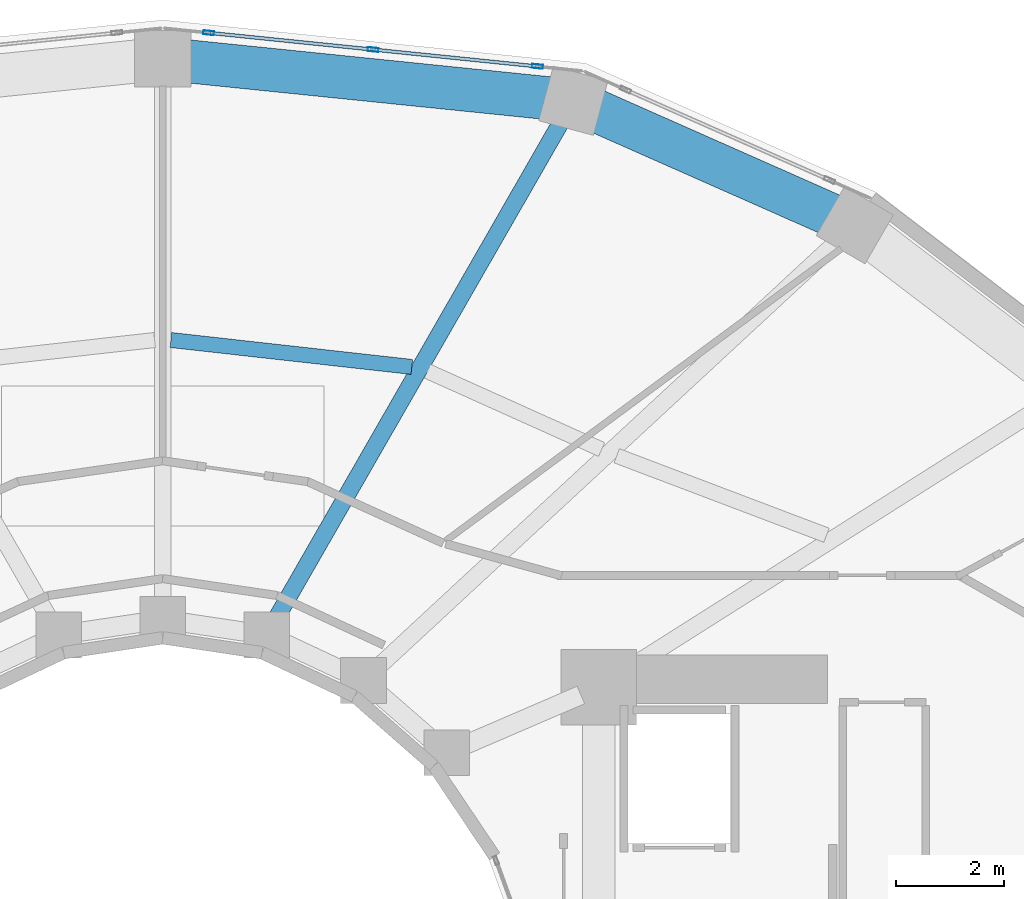
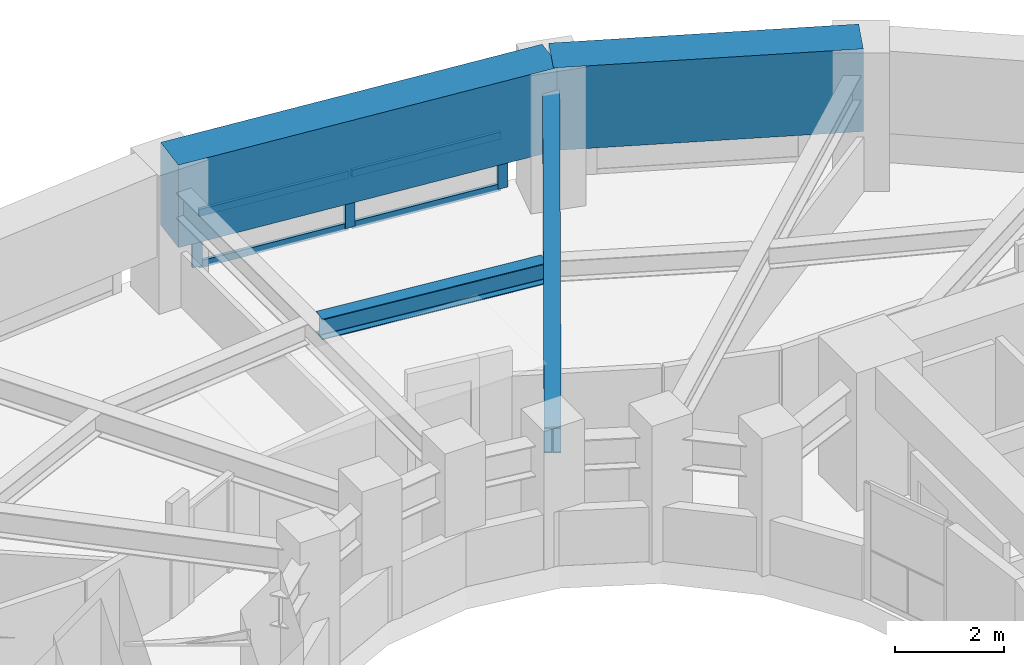
# One storey, part 9 of 19: 7 members, 4 beams, 1 element without a shape of its own.
"""IFC4 building model written with IfcOpenShell, lengths in metres."""

import ifcopenshell
import ifcopenshell.guid

model = None  # the IFC model being written
_history = None  # IfcOwnerHistory: only IFC2X3 demands one
_inside = {}  # id of a spatial element -> (the spatial element, [elements in it])
_under = {}  # id of a project, library or spatial element -> (it, [spatial elements below it])
_declared = {}  # id of a project -> (the project, [libraries it declares])
_typed = {}  # id of a type object -> (the type object, [elements of that type])
_made_of = {}  # id of a material, layer set ... -> (it, [elements and type objects made of it])


def new_model(schema):
    """Start an empty IFC model of exactly this schema.

    Asked for "IFC4X3", IfcOpenShell would pick the latest addendum, in which some entities
    have other attributes; the version numbers below select the first issue.
    IFC2X3 requires an IfcOwnerHistory on every rooted entity: one is made here for all.
    """
    global model, _history
    if schema == "IFC4X3":
        model = ifcopenshell.file(schema_version=(4, 3, 0, 0))
    else:
        model = ifcopenshell.file(schema=schema)
    _inside.clear()
    _under.clear()
    _declared.clear()
    _typed.clear()
    _made_of.clear()
    _history = None
    if model.schema == "IFC2X3":
        org = make("IfcOrganization", Name="unknown")
        user = make(
            "IfcPersonAndOrganization",
            ThePerson=make("IfcPerson", FamilyName="unknown"),
            TheOrganization=org,
        )
        app = make(
            "IfcApplication",
            ApplicationDeveloper=org,
            Version="unknown",
            ApplicationFullName="unknown",
            ApplicationIdentifier="unknown",
        )
        _history = make(
            "IfcOwnerHistory",
            OwningUser=user,
            OwningApplication=app,
            ChangeAction="ADDED",
            CreationDate=0,
        )
    return model


def make(cls, **values):
    """One entity of the class cls with the attributes given. An attribute that is None is left unset."""
    return model.create_entity(
        cls, **{name: value for name, value in values.items() if value is not None}
    )


def rooted(cls, **values):
    """An entity with a GlobalId (a new one), such as an element, a storey or a relation."""
    return make(cls, GlobalId=ifcopenshell.guid.new(), OwnerHistory=_history, **values)


def si_unit(unit_type, name, prefix=None):
    """IfcSIUnit, for example si_unit("LENGTHUNIT", "METRE", prefix="MILLI")."""
    return make("IfcSIUnit", UnitType=unit_type, Prefix=prefix, Name=name)


def assignment(units):
    """IfcUnitAssignment: the units of a project."""
    return None if units is None else make("IfcUnitAssignment", Units=units)


def point(xyz):
    """IfcCartesianPoint."""
    return None if xyz is None else make("IfcCartesianPoint", Coordinates=xyz)


def direction(xyz):
    """IfcDirection."""
    return None if xyz is None else make("IfcDirection", DirectionRatios=xyz)


def frame(location, z_axis=None, x_axis=None):
    """IfcAxis2Placement3D, a coordinate frame: its origin and axes. An axis left out is left unset."""
    return make(
        "IfcAxis2Placement3D",
        Location=point(location),
        Axis=direction(z_axis),
        RefDirection=direction(x_axis),
    )


def frame_2d(location, x_axis=None):
    """IfcAxis2Placement2D, a coordinate frame in the plane: its origin and x axis."""
    return make(
        "IfcAxis2Placement2D", Location=point(location), RefDirection=direction(x_axis)
    )


def origin():
    """The frame at (0, 0, 0) with its axes left unset."""
    return frame((0.0, 0.0, 0.0))


def origin_2d():
    """The frame at (0, 0) in the plane with its x axis left unset."""
    return frame_2d((0.0, 0.0))


def place(relative_to, where):
    """IfcLocalPlacement: puts the frame where relative to a parent placement (None: the world)."""
    return make(
        "IfcLocalPlacement", PlacementRelTo=relative_to, RelativePlacement=where
    )


def context(
    kind, dimensions, precision=None, world=None, true_north=None, identifier=None
):
    """IfcGeometricRepresentationContext, for example the 3D "Model" context."""
    return make(
        "IfcGeometricRepresentationContext",
        ContextIdentifier=identifier,
        ContextType=kind,
        CoordinateSpaceDimension=dimensions,
        Precision=precision,
        WorldCoordinateSystem=world,
        TrueNorth=true_north,
    )


def subcontext(parent, identifier, kind, view, scale=None):
    """IfcGeometricRepresentationSubContext, for example "Body" below "Model"."""
    return make(
        "IfcGeometricRepresentationSubContext",
        ContextIdentifier=identifier,
        ContextType=kind,
        ParentContext=parent,
        TargetScale=scale,
        TargetView=view,
    )


def project(units=None, contexts=None):
    """IfcProject with its units and contexts."""
    return rooted(
        "IfcProject",
        Name="project",
        RepresentationContexts=contexts,
        UnitsInContext=assignment(units),
    )


def spatial(cls, under=None, at=None, **own):
    """A site, building, storey or space (cls), placed at a placement, below another one or the project."""
    s = rooted(cls, ObjectPlacement=at, **own)
    if under is not None:
        _under.setdefault(under.id(), (under, []))[1].append(s)
    return s


def profile(cls, at=None, kind="AREA", **sizes):
    """A parametric profile (cls). Its sizes go by their IFC names, for example OverallWidth=200.0."""
    return make(cls, ProfileType=kind, Position=at, **sizes)


def rectangle(**sizes):
    """IfcRectangleProfileDef."""
    return profile("IfcRectangleProfileDef", **sizes)


def hollow_rectangle(**sizes):
    """IfcRectangleHollowProfileDef."""
    return profile("IfcRectangleHollowProfileDef", **sizes)


def i_section(**sizes):
    """IfcIShapeProfileDef."""
    return profile("IfcIShapeProfileDef", **sizes)


def extrude(swept, where, along, depth):
    """IfcExtrudedAreaSolid: the profile swept, set in the frame where, extruded along a direction by depth."""
    return make(
        "IfcExtrudedAreaSolid",
        SweptArea=swept,
        Position=where,
        ExtrudedDirection=direction(along),
        Depth=depth,
    )


def shape(context_of_items, identifier, shape_type, items):
    """IfcShapeRepresentation: the items that make up one representation, for example the "Body"."""
    return make(
        "IfcShapeRepresentation",
        ContextOfItems=context_of_items,
        RepresentationIdentifier=identifier,
        RepresentationType=shape_type,
        Items=items,
    )


def material(Name=None, Category=None):
    """IfcMaterial."""
    return make("IfcMaterial", Name=Name, Category=Category)


def layer(
    of_material, thickness, ventilated=None, Name=None, Category=None, Priority=None
):
    """IfcMaterialLayer: one layer of a wall or slab, of a material (None: an air gap)."""
    return make(
        "IfcMaterialLayer",
        Material=of_material,
        LayerThickness=thickness,
        IsVentilated=ventilated,
        Name=Name,
        Category=Category,
        Priority=Priority,
    )


def layer_set(layers, Name=None):
    """IfcMaterialLayerSet."""
    return make("IfcMaterialLayerSet", MaterialLayers=layers, LayerSetName=Name)


def material_profile(
    of_material, cross_section, Name=None, Category=None, Priority=None
):
    """IfcMaterialProfile: a cross section and its material."""
    return make(
        "IfcMaterialProfile",
        Name=Name,
        Material=of_material,
        Profile=cross_section,
        Priority=Priority,
        Category=Category,
    )


def profile_set(profiles, Name=None, composite=None):
    """IfcMaterialProfileSet."""
    return make(
        "IfcMaterialProfileSet",
        Name=Name,
        MaterialProfiles=profiles,
        CompositeProfile=composite,
    )


def made_of(thing, what):
    """Note that an element or type object is made of a material, layer set ...; save() writes the relation."""
    if what is not None:
        _made_of.setdefault(what.id(), (what, []))[1].append(thing)
    return thing


def type_object(cls, material=None, **own):
    """A type object (cls), such as IfcWallType, which elements share."""
    return made_of(rooted(cls, **own), material)


def element(
    cls,
    number,
    at=None,
    inside=None,
    cuts=None,
    type_object=None,
    material=None,
    context=None,
    identifier="Body",
    shape_type=None,
    held_by="IfcProductDefinitionShape",
    body=None,
    shapes=None,
    **own,
):
    """One element of the class cls, such as IfcWall. Its Tag is "e" and its number.

    at: its placement. inside: the storey or other place that contains it. cuts: it is an
    opening in that element (IfcRelVoidsElement). A single representation is given by context,
    identifier, shape_type and body (its items); several are given by shapes. held_by: the class
    of the entity that holds the representations. save() writes the other relations.
    """
    e = rooted(cls, Tag="e%d" % number, ObjectPlacement=at, **own)
    if body is not None:
        shapes = [shape(context, identifier, shape_type, body)]
    if shapes is not None:
        e.Representation = make(held_by, Representations=shapes)
    if inside is not None:
        _inside.setdefault(inside.id(), (inside, []))[1].append(e)
    if cuts is not None:
        rooted(
            "IfcRelVoidsElement", RelatingBuildingElement=cuts, RelatedOpeningElement=e
        )
    if type_object is not None:
        _typed.setdefault(type_object.id(), (type_object, []))[1].append(e)
    return made_of(e, material)


def aggregate(whole, parts):
    """IfcRelAggregates: a whole, such as a stair, and the parts it consists of."""
    return rooted("IfcRelAggregates", RelatingObject=whole, RelatedObjects=parts)


def save(model, path):
    """Write the relations noted so far, then the file.

    IfcRelAggregates (storeys below a building ...), IfcRelContainedInSpatialStructure (elements
    in a storey), IfcRelDefinesByType, IfcRelAssociatesMaterial and IfcRelDeclares: one each for
    every whole, place, type object, material and project.
    """
    for whole, parts in _under.values():
        aggregate(whole, parts)
    for where, things in _inside.values():
        rooted(
            "IfcRelContainedInSpatialStructure",
            RelatedElements=things,
            RelatingStructure=where,
        )
    for kind, things in _typed.values():
        rooted("IfcRelDefinesByType", RelatedObjects=things, RelatingType=kind)
    for what, things in _made_of.values():
        rooted("IfcRelAssociatesMaterial", RelatedObjects=things, RelatingMaterial=what)
    for by, libraries in _declared.values():
        rooted("IfcRelDeclares", RelatingContext=by, RelatedDefinitions=libraries)
    model.write(path)


model = new_model("IFC4")

# Units and contexts
model_context = context("Model", 3, precision=1e-05, world=origin(), true_north=direction((0.0, 1.0)))
body_context = subcontext(model_context, "Body", "Model", "MODEL_VIEW")
ifc_project = project(units=[si_unit("LENGTHUNIT", "METRE"), si_unit("AREAUNIT", "SQUARE_METRE"), si_unit("VOLUMEUNIT", "CUBIC_METRE"), si_unit("PLANEANGLEUNIT", "RADIAN"), si_unit("MASSUNIT", "GRAM", prefix="KILO")], contexts=[model_context])

# Site, building, storey
site_placement = place(None, origin())
site = spatial("IfcSite", under=ifc_project, at=site_placement, CompositionType="ELEMENT")
building_placement = place(site_placement, origin())
building = spatial("IfcBuilding", under=site, at=building_placement, Name="Solvane Sanctuary Tower", CompositionType="ELEMENT")
storey_placement = place(building_placement, frame((0.0, 0.0, 73.199951171875)))
storey = spatial("IfcBuildingStorey", under=building, at=storey_placement, Name="L21", CompositionType="ELEMENT", Elevation=73.199951171875)

# Beams
ifc_material_1 = material(Name="Steel ASTM A992 Grade 50", Category="steel")
ifc_material_profile_1 = material_profile(ifc_material_1, i_section(OverallWidth=0.31494140625, OverallDepth=0.575927734375, WebThickness=0.01513671875, FlangeThickness=0.0244140625, FilletRadius=0.014892578125, at=origin_2d()), Name="W21X122")
ifc_profile_set_1 = profile_set([ifc_material_profile_1], Name="Steel ASTM A992 Grade 50")
beam_type_1 = type_object("IfcBeamType", Name="Beam B-RAD-Z2 W21X122", PredefinedType="BEAM", material=ifc_profile_set_1)
beam_1_placement = place(storey_placement, frame((34.0703125, 31.41455078125, 2.31005859375), z_axis=(0.497792245326, 0.8672963049, 0.0), x_axis=(-0.8672963049, 0.497792245326, 0.0)))
element("IfcBeam", 1, at=beam_1_placement, inside=storey, type_object=beam_type_1, Name="L21 Radial Composite Floor Beam 03", PredefinedType="BEAM", context=body_context, shape_type="SweptSolid", body=[
    extrude(i_section(OverallWidth=0.31494140625, OverallDepth=0.575927734375, WebThickness=0.01513671875, FlangeThickness=0.0244140625, FilletRadius=0.014892578125, at=origin_2d()), origin(), (0.0, 0.0, 1.0), 10.887451171875),
])
ifc_material_profile_2 = material_profile(ifc_material_1, i_section(OverallWidth=0.280029296875, OverallDepth=0.462890625, WebThickness=0.0107421875, FlangeThickness=0.017333984375, FilletRadius=0.013916015625, at=origin_2d()), Name="W18X76")
ifc_profile_set_2 = profile_set([ifc_material_profile_2], Name="Steel ASTM A992 Grade 50")
beam_type_2 = type_object("IfcBeamType", Name="Beam B-SEC-JOIST W18X76", PredefinedType="JOIST", material=ifc_profile_set_2)
beam_2_placement = place(storey_placement, frame((32.151611328125, 36.653076171875, 2.366455078125), z_axis=(0.993814804173, -0.111050146357, 0.0), x_axis=(0.111050146357, 0.993814804173, 0.0)))
element("IfcBeam", 2, at=beam_2_placement, inside=storey, type_object=beam_type_2, Name="L21 Secondary Circumferential Joist 04-03", PredefinedType="JOIST", context=body_context, shape_type="SweptSolid", body=[
    extrude(i_section(OverallWidth=0.280029296875, OverallDepth=0.462890625, WebThickness=0.0107421875, FlangeThickness=0.017333984375, FilletRadius=0.013916015625, at=origin_2d()), origin(), (0.0, 0.0, 1.0), 4.504638671875),
])
ifc_material_2 = material(Name="Concrete C70/85", Category="concrete")
ifc_material_profile_3 = material_profile(ifc_material_2, rectangle(XDim=0.800048828125, YDim=1.85009765625, at=origin_2d()), Name="RC800X1850")
ifc_profile_set_3 = profile_set([ifc_material_profile_3], Name="Concrete C70/85")
beam_type_3 = type_object("IfcBeamType", Name="Beam B-XFER-BLK RC800X1850", PredefinedType="BEAM", material=ifc_profile_set_3)
beam_3_placement = place(storey_placement, frame((32.0, 41.8798828125, 2.175048828125), z_axis=(0.994817332657, -0.101678289936, 0.0), x_axis=(0.101678289936, 0.994817332657, 0.0)))
element("IfcBeam", 3, at=beam_3_placement, inside=storey, type_object=beam_type_3, Name="L21 Perimeter Step Transfer Ring NTC04-NTC03", PredefinedType="BEAM", context=body_context, shape_type="SweptSolid", body=[
    extrude(rectangle(XDim=0.800048828125, YDim=1.85009765625, at=origin_2d()), origin(), (0.0, 0.0, 1.0), 7.669189453125),
])
beam_4_placement = place(storey_placement, frame((39.62939453125, 41.10009765625, 2.175048828125), z_axis=(0.914461816427, -0.404672196101, 0.0), x_axis=(0.404672196101, 0.914461816427, 0.0)))
element("IfcBeam", 4, at=beam_4_placement, inside=storey, type_object=beam_type_3, Name="L21 Perimeter Step Transfer Ring NTC03-NTC02", PredefinedType="BEAM", context=body_context, shape_type="SweptSolid", body=[
    extrude(rectangle(XDim=0.800048828125, YDim=1.85009765625, at=origin_2d()), origin(), (0.0, 0.0, 1.0), 5.718017578125),
])

# Curtain wall, members
ifc_material_3 = material(Name="Anodised Aluminium 6063-T6", Category="aluminium")
ifc_layer = layer(ifc_material_3, 0.18994140625, Name="Anodised Aluminium 6063-T6")
ifc_layer_set = layer_set([ifc_layer], Name="Anodised Aluminium 6063-T6")
curtain_wall_type = type_object("IfcCurtainWallType", Name="Curtain Wall CW-OPER", PredefinedType="NOTDEFINED", material=ifc_layer_set)
curtain_wall_placement = place(storey_placement, origin())
curtain_wall = element("IfcCurtainWall", 5, at=curtain_wall_placement, inside=storey, type_object=curtain_wall_type, Name="L21 CW-OPER Facade Run 05", PredefinedType="NOTDEFINED")
ifc_material_profile_4 = material_profile(ifc_material_3, hollow_rectangle(XDim=0.074951171875, YDim=0.199951171875, WallThickness=0.00390625, at=origin_2d()), Name="ALU200X75X4")
ifc_profile_set_4 = profile_set([ifc_material_profile_4], Name="Anodised Aluminium 6063-T6")
member_type_1 = type_object("IfcMemberType", Name="Member M-CW-MUL-1 ALU200X75X4", PredefinedType="MULLION", material=ifc_profile_set_4)
member_1_placement = place(storey_placement, frame((38.963134765625, 41.73779296875, 0.0), z_axis=(0.0, 0.0, 1.0), x_axis=(-0.101658261166, -0.994819379554, 0.0)))
member_1 = element("IfcMember", 6, at=member_1_placement, type_object=member_type_1, Name="CW-OPER mullion 1", PredefinedType="MULLION", context=body_context, shape_type="SweptSolid", body=[
    extrude(hollow_rectangle(XDim=0.074951171875, YDim=0.199951171875, WallThickness=0.00390625, at=origin_2d()), origin(), (0.0, 0.0, 1.0), 1.219970703125),
])
member_2_placement = place(storey_placement, frame((35.908203125, 42.0498046875, 0.0), z_axis=(0.0, 0.0, 1.0), x_axis=(-0.101658261166, -0.994819379554, 0.0)))
member_2 = element("IfcMember", 7, at=member_2_placement, type_object=member_type_1, Name="CW-OPER mullion 2", PredefinedType="MULLION", context=body_context, shape_type="SweptSolid", body=[
    extrude(hollow_rectangle(XDim=0.074951171875, YDim=0.199951171875, WallThickness=0.00390625, at=origin_2d()), origin(), (0.0, 0.0, 1.0), 1.219970703125),
])
member_3_placement = place(storey_placement, frame((32.85302734375, 42.362060546875, 0.0), z_axis=(0.0, 0.0, 1.0), x_axis=(-0.101658261166, -0.994819379554, 0.0)))
member_3 = element("IfcMember", 8, at=member_3_placement, type_object=member_type_1, Name="CW-OPER mullion 3", PredefinedType="MULLION", context=body_context, shape_type="SweptSolid", body=[
    extrude(hollow_rectangle(XDim=0.074951171875, YDim=0.199951171875, WallThickness=0.00390625, at=origin_2d()), origin(), (0.0, 0.0, 1.0), 1.219970703125),
])
ifc_material_profile_5 = material_profile(ifc_material_3, hollow_rectangle(XDim=0.06494140625, YDim=0.159912109375, WallThickness=0.00341796875, at=origin_2d()), Name="ALU160X65X3.5")
ifc_profile_set_5 = profile_set([ifc_material_profile_5], Name="Anodised Aluminium 6063-T6")
member_type_2 = type_object("IfcMemberType", Name="Member M-CW-TRN-1 ALU160X65X3.5", PredefinedType="USERDEFINED", material=ifc_profile_set_5)
member_4_placement = place(storey_placement, frame((38.92578125, 41.741455078125, 0.032470703125), z_axis=(-0.994814472277, 0.101706271926, 0.0), x_axis=(-0.101706271926, -0.994814472277, 0.0)))
member_4 = element("IfcMember", 9, at=member_4_placement, type_object=member_type_2, Name="CW-OPER transom 1.1", ObjectType="TRANSOM", PredefinedType="USERDEFINED", context=body_context, shape_type="SweptSolid", body=[
    extrude(hollow_rectangle(XDim=0.06494140625, YDim=0.159912109375, WallThickness=0.00341796875, at=origin_2d()), origin(), (0.0, 0.0, 1.0), 2.995849609375),
])
member_5_placement = place(storey_placement, frame((38.92578125, 41.741455078125, 1.1875), z_axis=(-0.994814472277, 0.101706271926, 0.0), x_axis=(-0.101706271926, -0.994814472277, 0.0)))
member_5 = element("IfcMember", 10, at=member_5_placement, type_object=member_type_2, Name="CW-OPER transom 1.2", ObjectType="TRANSOM", PredefinedType="USERDEFINED", context=body_context, shape_type="SweptSolid", body=[
    extrude(hollow_rectangle(XDim=0.06494140625, YDim=0.159912109375, WallThickness=0.00341796875, at=origin_2d()), origin(), (0.0, 0.0, 1.0), 2.995849609375),
])
member_6_placement = place(storey_placement, frame((35.870849609375, 42.0537109375, 0.032470703125), z_axis=(-0.994823556259, 0.101617379968, 0.0), x_axis=(-0.101617379968, -0.994823556259, 0.0)))
member_6 = element("IfcMember", 11, at=member_6_placement, type_object=member_type_2, Name="CW-OPER transom 2.1", ObjectType="TRANSOM", PredefinedType="USERDEFINED", context=body_context, shape_type="SweptSolid", body=[
    extrude(hollow_rectangle(XDim=0.06494140625, YDim=0.159912109375, WallThickness=0.00341796875, at=origin_2d()), origin(), (0.0, 0.0, 1.0), 2.99609375),
])
member_7_placement = place(storey_placement, frame((35.870849609375, 42.0537109375, 1.1875), z_axis=(-0.994823556259, 0.101617379968, 0.0), x_axis=(-0.101617379968, -0.994823556259, 0.0)))
member_7 = element("IfcMember", 12, at=member_7_placement, type_object=member_type_2, Name="CW-OPER transom 2.2", ObjectType="TRANSOM", PredefinedType="USERDEFINED", context=body_context, shape_type="SweptSolid", body=[
    extrude(hollow_rectangle(XDim=0.06494140625, YDim=0.159912109375, WallThickness=0.00341796875, at=origin_2d()), origin(), (0.0, 0.0, 1.0), 2.99609375),
])
aggregate(curtain_wall, [member_1, member_2, member_3, member_4, member_5, member_6, member_7])

save(model, "model.ifc")
